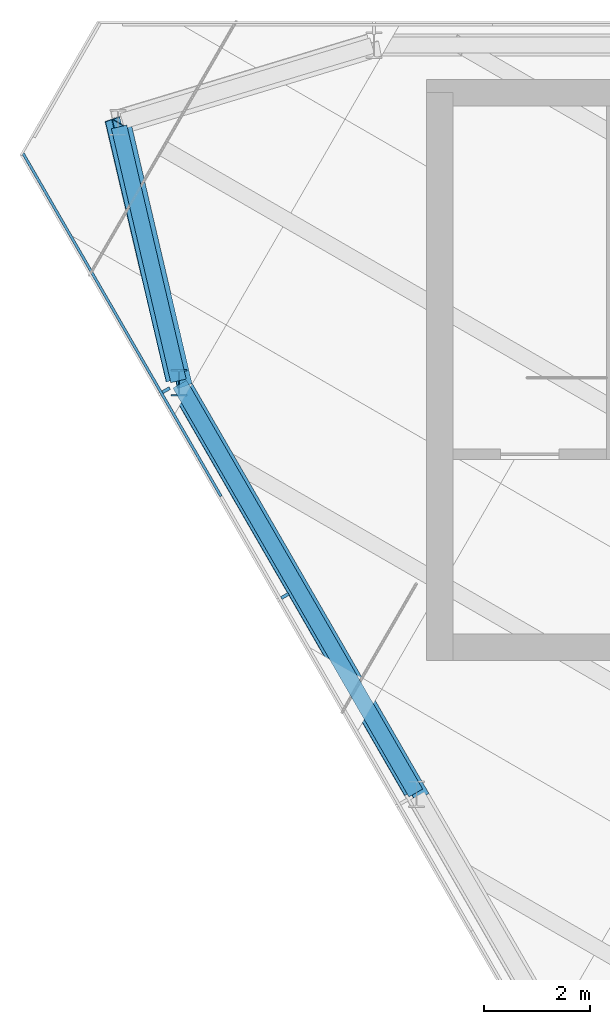
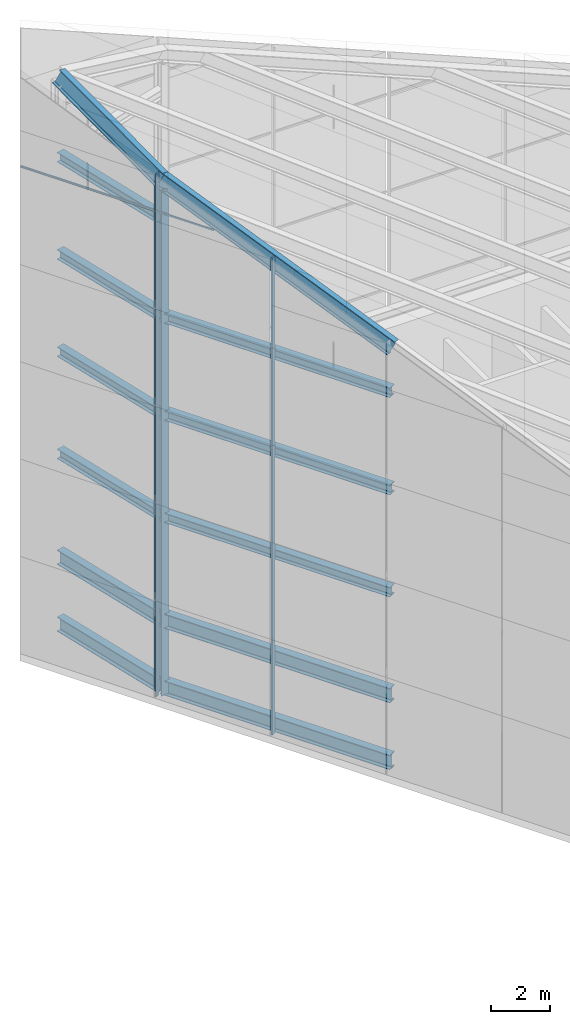
# One storey, part 4 of 16: 9 beams, 8 members, 1 element without a shape of its own.
"""IFC4 building model written with IfcOpenShell, lengths in metres."""

import ifcopenshell
import ifcopenshell.guid

model = None  # the IFC model being written
_history = None  # IfcOwnerHistory: only IFC2X3 demands one
_inside = {}  # id of a spatial element -> (the spatial element, [elements in it])
_under = {}  # id of a project, library or spatial element -> (it, [spatial elements below it])
_declared = {}  # id of a project -> (the project, [libraries it declares])
_typed = {}  # id of a type object -> (the type object, [elements of that type])
_made_of = {}  # id of a material, layer set ... -> (it, [elements and type objects made of it])


def new_model(schema):
    """Start an empty IFC model of exactly this schema.

    Asked for "IFC4X3", IfcOpenShell would pick the latest addendum, in which some entities
    have other attributes; the version numbers below select the first issue.
    IFC2X3 requires an IfcOwnerHistory on every rooted entity: one is made here for all.
    """
    global model, _history
    if schema == "IFC4X3":
        model = ifcopenshell.file(schema_version=(4, 3, 0, 0))
    else:
        model = ifcopenshell.file(schema=schema)
    _inside.clear()
    _under.clear()
    _declared.clear()
    _typed.clear()
    _made_of.clear()
    _history = None
    if model.schema == "IFC2X3":
        org = make("IfcOrganization", Name="unknown")
        user = make(
            "IfcPersonAndOrganization",
            ThePerson=make("IfcPerson", FamilyName="unknown"),
            TheOrganization=org,
        )
        app = make(
            "IfcApplication",
            ApplicationDeveloper=org,
            Version="unknown",
            ApplicationFullName="unknown",
            ApplicationIdentifier="unknown",
        )
        _history = make(
            "IfcOwnerHistory",
            OwningUser=user,
            OwningApplication=app,
            ChangeAction="ADDED",
            CreationDate=0,
        )
    return model


def make(cls, **values):
    """One entity of the class cls with the attributes given. An attribute that is None is left unset."""
    return model.create_entity(
        cls, **{name: value for name, value in values.items() if value is not None}
    )


def rooted(cls, **values):
    """An entity with a GlobalId (a new one), such as an element, a storey or a relation."""
    return make(cls, GlobalId=ifcopenshell.guid.new(), OwnerHistory=_history, **values)


def si_unit(unit_type, name, prefix=None):
    """IfcSIUnit, for example si_unit("LENGTHUNIT", "METRE", prefix="MILLI")."""
    return make("IfcSIUnit", UnitType=unit_type, Prefix=prefix, Name=name)


def assignment(units):
    """IfcUnitAssignment: the units of a project."""
    return None if units is None else make("IfcUnitAssignment", Units=units)


def point(xyz):
    """IfcCartesianPoint."""
    return None if xyz is None else make("IfcCartesianPoint", Coordinates=xyz)


def direction(xyz):
    """IfcDirection."""
    return None if xyz is None else make("IfcDirection", DirectionRatios=xyz)


def frame(location, z_axis=None, x_axis=None):
    """IfcAxis2Placement3D, a coordinate frame: its origin and axes. An axis left out is left unset."""
    return make(
        "IfcAxis2Placement3D",
        Location=point(location),
        Axis=direction(z_axis),
        RefDirection=direction(x_axis),
    )


def frame_2d(location, x_axis=None):
    """IfcAxis2Placement2D, a coordinate frame in the plane: its origin and x axis."""
    return make(
        "IfcAxis2Placement2D", Location=point(location), RefDirection=direction(x_axis)
    )


def origin():
    """The frame at (0, 0, 0) with its axes left unset."""
    return frame((0.0, 0.0, 0.0))


def origin_2d():
    """The frame at (0, 0) in the plane with its x axis left unset."""
    return frame_2d((0.0, 0.0))


def place(relative_to, where):
    """IfcLocalPlacement: puts the frame where relative to a parent placement (None: the world)."""
    return make(
        "IfcLocalPlacement", PlacementRelTo=relative_to, RelativePlacement=where
    )


def context(
    kind, dimensions, precision=None, world=None, true_north=None, identifier=None
):
    """IfcGeometricRepresentationContext, for example the 3D "Model" context."""
    return make(
        "IfcGeometricRepresentationContext",
        ContextIdentifier=identifier,
        ContextType=kind,
        CoordinateSpaceDimension=dimensions,
        Precision=precision,
        WorldCoordinateSystem=world,
        TrueNorth=true_north,
    )


def subcontext(parent, identifier, kind, view, scale=None):
    """IfcGeometricRepresentationSubContext, for example "Body" below "Model"."""
    return make(
        "IfcGeometricRepresentationSubContext",
        ContextIdentifier=identifier,
        ContextType=kind,
        ParentContext=parent,
        TargetScale=scale,
        TargetView=view,
    )


def project(units=None, contexts=None):
    """IfcProject with its units and contexts."""
    return rooted(
        "IfcProject",
        Name="project",
        RepresentationContexts=contexts,
        UnitsInContext=assignment(units),
    )


def spatial(cls, under=None, at=None, **own):
    """A site, building, storey or space (cls), placed at a placement, below another one or the project."""
    s = rooted(cls, ObjectPlacement=at, **own)
    if under is not None:
        _under.setdefault(under.id(), (under, []))[1].append(s)
    return s


def profile(cls, at=None, kind="AREA", **sizes):
    """A parametric profile (cls). Its sizes go by their IFC names, for example OverallWidth=200.0."""
    return make(cls, ProfileType=kind, Position=at, **sizes)


def rectangle(**sizes):
    """IfcRectangleProfileDef."""
    return profile("IfcRectangleProfileDef", **sizes)


def i_section(**sizes):
    """IfcIShapeProfileDef."""
    return profile("IfcIShapeProfileDef", **sizes)


def extrude(swept, where, along, depth):
    """IfcExtrudedAreaSolid: the profile swept, set in the frame where, extruded along a direction by depth."""
    return make(
        "IfcExtrudedAreaSolid",
        SweptArea=swept,
        Position=where,
        ExtrudedDirection=direction(along),
        Depth=depth,
    )


def shape(context_of_items, identifier, shape_type, items):
    """IfcShapeRepresentation: the items that make up one representation, for example the "Body"."""
    return make(
        "IfcShapeRepresentation",
        ContextOfItems=context_of_items,
        RepresentationIdentifier=identifier,
        RepresentationType=shape_type,
        Items=items,
    )


def material(Name=None, Category=None):
    """IfcMaterial."""
    return make("IfcMaterial", Name=Name, Category=Category)


def layer(
    of_material, thickness, ventilated=None, Name=None, Category=None, Priority=None
):
    """IfcMaterialLayer: one layer of a wall or slab, of a material (None: an air gap)."""
    return make(
        "IfcMaterialLayer",
        Material=of_material,
        LayerThickness=thickness,
        IsVentilated=ventilated,
        Name=Name,
        Category=Category,
        Priority=Priority,
    )


def layer_set(layers, Name=None):
    """IfcMaterialLayerSet."""
    return make("IfcMaterialLayerSet", MaterialLayers=layers, LayerSetName=Name)


def material_profile(
    of_material, cross_section, Name=None, Category=None, Priority=None
):
    """IfcMaterialProfile: a cross section and its material."""
    return make(
        "IfcMaterialProfile",
        Name=Name,
        Material=of_material,
        Profile=cross_section,
        Priority=Priority,
        Category=Category,
    )


def profile_set(profiles, Name=None, composite=None):
    """IfcMaterialProfileSet."""
    return make(
        "IfcMaterialProfileSet",
        Name=Name,
        MaterialProfiles=profiles,
        CompositeProfile=composite,
    )


def made_of(thing, what):
    """Note that an element or type object is made of a material, layer set ...; save() writes the relation."""
    if what is not None:
        _made_of.setdefault(what.id(), (what, []))[1].append(thing)
    return thing


def type_object(cls, material=None, **own):
    """A type object (cls), such as IfcWallType, which elements share."""
    return made_of(rooted(cls, **own), material)


def element(
    cls,
    number,
    at=None,
    inside=None,
    cuts=None,
    type_object=None,
    material=None,
    context=None,
    identifier="Body",
    shape_type=None,
    held_by="IfcProductDefinitionShape",
    body=None,
    shapes=None,
    **own,
):
    """One element of the class cls, such as IfcWall. Its Tag is "e" and its number.

    at: its placement. inside: the storey or other place that contains it. cuts: it is an
    opening in that element (IfcRelVoidsElement). A single representation is given by context,
    identifier, shape_type and body (its items); several are given by shapes. held_by: the class
    of the entity that holds the representations. save() writes the other relations.
    """
    e = rooted(cls, Tag="e%d" % number, ObjectPlacement=at, **own)
    if body is not None:
        shapes = [shape(context, identifier, shape_type, body)]
    if shapes is not None:
        e.Representation = make(held_by, Representations=shapes)
    if inside is not None:
        _inside.setdefault(inside.id(), (inside, []))[1].append(e)
    if cuts is not None:
        rooted(
            "IfcRelVoidsElement", RelatingBuildingElement=cuts, RelatedOpeningElement=e
        )
    if type_object is not None:
        _typed.setdefault(type_object.id(), (type_object, []))[1].append(e)
    return made_of(e, material)


def aggregate(whole, parts):
    """IfcRelAggregates: a whole, such as a stair, and the parts it consists of."""
    return rooted("IfcRelAggregates", RelatingObject=whole, RelatedObjects=parts)


def save(model, path):
    """Write the relations noted so far, then the file.

    IfcRelAggregates (storeys below a building ...), IfcRelContainedInSpatialStructure (elements
    in a storey), IfcRelDefinesByType, IfcRelAssociatesMaterial and IfcRelDeclares: one each for
    every whole, place, type object, material and project.
    """
    for whole, parts in _under.values():
        aggregate(whole, parts)
    for where, things in _inside.values():
        rooted(
            "IfcRelContainedInSpatialStructure",
            RelatedElements=things,
            RelatingStructure=where,
        )
    for kind, things in _typed.values():
        rooted("IfcRelDefinesByType", RelatedObjects=things, RelatingType=kind)
    for what, things in _made_of.values():
        rooted("IfcRelAssociatesMaterial", RelatedObjects=things, RelatingMaterial=what)
    for by, libraries in _declared.values():
        rooted("IfcRelDeclares", RelatingContext=by, RelatedDefinitions=libraries)
    model.write(path)


model = new_model("IFC4")

# Units and contexts
model_context = context("Model", 3, precision=1e-05, world=origin(), true_north=direction((0.0, 1.0)))
body_context = subcontext(model_context, "Body", "Model", "MODEL_VIEW")
ifc_project = project(units=[si_unit("LENGTHUNIT", "METRE"), si_unit("AREAUNIT", "SQUARE_METRE"), si_unit("VOLUMEUNIT", "CUBIC_METRE"), si_unit("PLANEANGLEUNIT", "RADIAN"), si_unit("MASSUNIT", "GRAM", prefix="KILO")], contexts=[model_context])

# Site, building, storey
site_placement = place(None, origin())
site = spatial("IfcSite", under=ifc_project, at=site_placement, CompositionType="ELEMENT")
building_placement = place(site_placement, origin())
building = spatial("IfcBuilding", under=site, at=building_placement, Name="Altiplano Prism Tower", CompositionType="ELEMENT")
storey_placement = place(building_placement, frame((0.0, 0.0, 358.0)))
storey = spatial("IfcBuildingStorey", under=building, at=storey_placement, Name="Crown", CompositionType="ELEMENT", Elevation=358.0)

# Curtain wall, members
ifc_material_1 = material(Name="Aluminium and glass", Category="aluminium")
ifc_layer = layer(ifc_material_1, 0.25)
ifc_layer_set = layer_set([ifc_layer], Name="Aluminium and glass")
curtain_wall_type = type_object("IfcCurtainWallType", Name="CW5 crown glazing", PredefinedType="NOTDEFINED", material=ifc_layer_set)
curtain_wall_placement = place(storey_placement, origin())
curtain_wall = element("IfcCurtainWall", 1, at=curtain_wall_placement, inside=storey, type_object=curtain_wall_type, Name="CW5 crown glazing face 2", PredefinedType="NOTDEFINED")
ifc_material_2 = material(Name="Aluminium", Category="aluminium")
ifc_material_profile_1 = material_profile(ifc_material_2, rectangle(XDim=0.159912109375, YDim=0.06005859375, at=origin_2d()), Name="CW5 mullion 60 x 160")
ifc_profile_set_1 = profile_set([ifc_material_profile_1], Name="Aluminium")
member_type_1 = type_object("IfcMemberType", Name="CW5 mullion 60 x 160", PredefinedType="MULLION", material=ifc_profile_set_1)
member_1_placement = place(storey_placement, frame((67.565185546875, 98.014892578125, 0.0), z_axis=(0.0, 0.0, 1.0), x_axis=(0.866025407336, 0.499999993848, 0.0)))
member_1 = element("IfcMember", 2, at=member_1_placement, type_object=member_type_1, Name="CW5 mullion", PredefinedType="MULLION", context=body_context, shape_type="SweptSolid", body=[
    extrude(rectangle(XDim=0.159912109375, YDim=0.06005859375, at=origin_2d()), origin(), (0.0, 0.0, 1.0), 21.497802734375),
])
member_2_placement = place(storey_placement, frame((69.815185546875, 94.11767578125, 0.0), z_axis=(0.0, 0.0, 1.0), x_axis=(0.866025407336, 0.499999993848, 0.0)))
member_2 = element("IfcMember", 3, at=member_2_placement, type_object=member_type_1, Name="CW5 mullion", PredefinedType="MULLION", context=body_context, shape_type="SweptSolid", body=[
    extrude(rectangle(XDim=0.159912109375, YDim=0.06005859375, at=origin_2d()), origin(), (0.0, 0.0, 1.0), 19.61572265625),
])
ifc_material_profile_2 = material_profile(ifc_material_2, rectangle(XDim=0.050048828125, YDim=0.06005859375, at=origin_2d()), Name="CW5 transom 60 x 50")
ifc_profile_set_2 = profile_set([ifc_material_profile_2], Name="Aluminium")
member_type_2 = type_object("IfcMemberType", Name="CW5 transom 60 x 50", PredefinedType="USERDEFINED", material=ifc_profile_set_2)
member_3_placement = place(storey_placement, frame((64.85400390625, 102.5009765625, 20.0), z_axis=(0.500004234368, -0.866022959057, 0.0), x_axis=(0.866022959057, 0.500004234368, 0.0)))
member_3 = element("IfcMember", 4, at=member_3_placement, type_object=member_type_2, Name="CW5 transom", ObjectType="TRANSOM", PredefinedType="USERDEFINED", context=body_context, shape_type="SweptSolid", body=[
    extrude(rectangle(XDim=0.050048828125, YDim=0.06005859375, at=origin_2d()), origin(), (0.0, 0.0, 1.0), 7.5),
])
aggregate(curtain_wall, [member_1, member_2, member_3])

# Members
ifc_material_3 = material(Name="Steel S355", Category="steel")
ifc_material_profile_3 = material_profile(ifc_material_3, i_section(OverallWidth=0.300048828125, OverallDepth=0.60009765625, WebThickness=0.015380859375, FlangeThickness=0.030029296875, FilletRadius=0.027099609375, at=origin_2d()), Name="Crown base chord HEB 600")
ifc_profile_set_3 = profile_set([ifc_material_profile_3], Name="Steel S355")
member_type_3 = type_object("IfcMemberType", Name="Crown base chord HEB 600", PredefinedType="CHORD", material=ifc_profile_set_3)
for number, where, z_axis, x_axis, name in (
    (5, (66.673828125, 103.0009765625, 0.300048828125), (0.227821664455, -0.973702875217, 0.0), (0.973702875217, 0.227821664455, 0.0), "Crown base ring chord b5"),
    (6, (66.673828125, 103.0009765625, 3.050048828125), (0.227821664455, -0.973702875217, 0.0), (0.973702875217, 0.227821664455, 0.0), "Crown base ring chord t5"),
):
    element("IfcMember", number, at=place(storey_placement, frame(where, z_axis=z_axis, x_axis=x_axis)), inside=storey, type_object=member_type_3, Name=name, PredefinedType="CHORD", context=body_context, shape_type="SweptSolid", body=[
        extrude(i_section(OverallWidth=0.300048828125, OverallDepth=0.60009765625, WebThickness=0.015380859375, FlangeThickness=0.030029296875, FilletRadius=0.027099609375, at=origin_2d()), origin(), (0.0, 0.0, 1.0), 4.940185546875),
    ])
for number, where, z_axis, x_axis, name in (
    (7, (67.82275390625, 98.12890625, 0.300048828125), (0.500001398157, -0.866024596557, 0.0), (0.866024596557, 0.500001398157, 0.0), "Crown base ring chord b6"),
    (8, (67.82275390625, 98.12890625, 3.050048828125), (0.500001398157, -0.866024596557, 0.0), (0.866024596557, 0.500001398157, 0.0), "Crown base ring chord t6"),
):
    element("IfcMember", number, at=place(storey_placement, frame(where, z_axis=z_axis, x_axis=x_axis)), inside=storey, type_object=member_type_3, Name=name, PredefinedType="CHORD", context=body_context, shape_type="SweptSolid", body=[
        extrude(i_section(OverallWidth=0.300048828125, OverallDepth=0.60009765625, WebThickness=0.015380859375, FlangeThickness=0.030029296875, FilletRadius=0.027099609375, at=origin_2d()), origin(), (0.0, 0.0, 1.0), 8.93994140625),
    ])
ifc_material_profile_4 = material_profile(ifc_material_3, i_section(OverallWidth=0.300048828125, OverallDepth=0.5, WebThickness=0.014404296875, FlangeThickness=0.028076171875, FilletRadius=0.027099609375, at=origin_2d()), Name="Crown post HEB 500")
ifc_profile_set_4 = profile_set([ifc_material_profile_4], Name="Steel S355")
member_type_4 = type_object("IfcMemberType", Name="Crown post HEB 500", PredefinedType="POST", material=ifc_profile_set_4)
member_4_placement = place(storey_placement, frame((67.807861328125, 98.15478515625, 0.0), z_axis=(0.0, 0.0, 1.0), x_axis=(1.0, 0.0, 0.0)))
element("IfcMember", 9, at=member_4_placement, inside=storey, type_object=member_type_4, Name="Crown post P11", PredefinedType="POST", context=body_context, shape_type="SweptSolid", body=[
    extrude(i_section(OverallWidth=0.300048828125, OverallDepth=0.5, WebThickness=0.014404296875, FlangeThickness=0.028076171875, FilletRadius=0.027099609375, at=origin_2d()), origin(), (0.0, 0.0, 1.0), 20.79296875),
])

# Beams
ifc_material_profile_5 = material_profile(ifc_material_3, i_section(OverallWidth=0.300048828125, OverallDepth=0.60009765625, WebThickness=0.015380859375, FlangeThickness=0.030029296875, FilletRadius=0.027099609375, at=origin_2d()), Name="Crown rafter HEB 600")
ifc_profile_set_5 = profile_set([ifc_material_profile_5], Name="Steel S355")
beam_type_1 = type_object("IfcBeamType", Name="Crown rafter HEB 600", PredefinedType="BEAM", material=ifc_profile_set_5)
beam_1_placement = place(storey_placement, frame((66.654296875, 103.084228515625, 22.738525390625), z_axis=(0.216353771949, -0.924528890885, -0.313747311195), x_axis=(0.900740650363, 0.312991364865, -0.301168866757)))
element("IfcBeam", 10, at=beam_1_placement, inside=storey, type_object=beam_type_1, Name="Crown rafter ring 5", PredefinedType="BEAM", context=body_context, shape_type="SweptSolid", body=[
    extrude(i_section(OverallWidth=0.300048828125, OverallDepth=0.60009765625, WebThickness=0.015380859375, FlangeThickness=0.030029296875, FilletRadius=0.027099609375, at=origin_2d()), origin(), (0.0, 0.0, 1.0), 5.331787109375),
])
beam_2_placement = place(storey_placement, frame((67.807861328125, 98.15478515625, 21.065673828125), z_axis=(0.461277408259, -0.798951891204, -0.385874368378), x_axis=(0.803346016143, 0.560704993202, -0.200611786655)))
element("IfcBeam", 11, at=beam_2_placement, inside=storey, type_object=beam_type_1, Name="Crown rafter ring 6", PredefinedType="BEAM", context=body_context, shape_type="SweptSolid", body=[
    extrude(i_section(OverallWidth=0.300048828125, OverallDepth=0.60009765625, WebThickness=0.015380859375, FlangeThickness=0.030029296875, FilletRadius=0.027099609375, at=origin_2d()), origin(), (0.0, 0.0, 1.0), 9.755615234375),
])
ifc_material_profile_6 = material_profile(ifc_material_3, i_section(OverallWidth=0.300048828125, OverallDepth=0.39990234375, WebThickness=0.013427734375, FlangeThickness=0.02392578125, FilletRadius=0.027099609375, at=origin_2d()), Name="Crown ring beam HEB 400")
ifc_profile_set_6 = profile_set([ifc_material_profile_6], Name="Steel S355")
beam_type_2 = type_object("IfcBeamType", Name="Crown ring beam HEB 400", PredefinedType="BEAM", material=ifc_profile_set_6)
beam_3_placement = place(storey_placement, frame((66.673828125, 103.0009765625, 7.300048828125), z_axis=(0.227821664455, -0.973702875217, 0.0), x_axis=(0.973702875217, 0.227821664455, 0.0)))
element("IfcBeam", 12, at=beam_3_placement, inside=storey, type_object=beam_type_2, Name="Crown ring beam 2.5", PredefinedType="BEAM", context=body_context, shape_type="SweptSolid", body=[
    extrude(i_section(OverallWidth=0.300048828125, OverallDepth=0.39990234375, WebThickness=0.013427734375, FlangeThickness=0.02392578125, FilletRadius=0.027099609375, at=origin_2d()), origin(), (0.0, 0.0, 1.0), 4.940185546875),
])
beam_4_placement = place(storey_placement, frame((67.82275390625, 98.12890625, 7.300048828125), z_axis=(0.500001398157, -0.866024596557, 0.0), x_axis=(0.866024596557, 0.500001398157, 0.0)))
element("IfcBeam", 13, at=beam_4_placement, inside=storey, type_object=beam_type_2, Name="Crown ring beam 2.6", PredefinedType="BEAM", context=body_context, shape_type="SweptSolid", body=[
    extrude(i_section(OverallWidth=0.300048828125, OverallDepth=0.39990234375, WebThickness=0.013427734375, FlangeThickness=0.02392578125, FilletRadius=0.027099609375, at=origin_2d()), origin(), (0.0, 0.0, 1.0), 8.93994140625),
])
beam_5_placement = place(storey_placement, frame((66.673828125, 103.0009765625, 11.5), z_axis=(0.227821664455, -0.973702875217, 0.0), x_axis=(0.973702875217, 0.227821664455, 0.0)))
element("IfcBeam", 14, at=beam_5_placement, inside=storey, type_object=beam_type_2, Name="Crown ring beam 3.5", PredefinedType="BEAM", context=body_context, shape_type="SweptSolid", body=[
    extrude(i_section(OverallWidth=0.300048828125, OverallDepth=0.39990234375, WebThickness=0.013427734375, FlangeThickness=0.02392578125, FilletRadius=0.027099609375, at=origin_2d()), origin(), (0.0, 0.0, 1.0), 4.940185546875),
])
beam_6_placement = place(storey_placement, frame((67.82275390625, 98.12890625, 11.5), z_axis=(0.500001398157, -0.866024596557, 0.0), x_axis=(0.866024596557, 0.500001398157, 0.0)))
element("IfcBeam", 15, at=beam_6_placement, inside=storey, type_object=beam_type_2, Name="Crown ring beam 3.6", PredefinedType="BEAM", context=body_context, shape_type="SweptSolid", body=[
    extrude(i_section(OverallWidth=0.300048828125, OverallDepth=0.39990234375, WebThickness=0.013427734375, FlangeThickness=0.02392578125, FilletRadius=0.027099609375, at=origin_2d()), origin(), (0.0, 0.0, 1.0), 8.93994140625),
])
beam_7_placement = place(storey_placement, frame((66.673828125, 103.0009765625, 15.5), z_axis=(0.227821664455, -0.973702875217, 0.0), x_axis=(0.973702875217, 0.227821664455, 0.0)))
element("IfcBeam", 16, at=beam_7_placement, inside=storey, type_object=beam_type_2, Name="Crown ring beam 4.5", PredefinedType="BEAM", context=body_context, shape_type="SweptSolid", body=[
    extrude(i_section(OverallWidth=0.300048828125, OverallDepth=0.39990234375, WebThickness=0.013427734375, FlangeThickness=0.02392578125, FilletRadius=0.027099609375, at=origin_2d()), origin(), (0.0, 0.0, 1.0), 4.940185546875),
])
beam_8_placement = place(storey_placement, frame((67.82275390625, 98.12890625, 15.5), z_axis=(0.500001398157, -0.866024596557, 0.0), x_axis=(0.866024596557, 0.500001398157, 0.0)))
element("IfcBeam", 17, at=beam_8_placement, inside=storey, type_object=beam_type_2, Name="Crown ring beam 4.6", PredefinedType="BEAM", context=body_context, shape_type="SweptSolid", body=[
    extrude(i_section(OverallWidth=0.300048828125, OverallDepth=0.39990234375, WebThickness=0.013427734375, FlangeThickness=0.02392578125, FilletRadius=0.027099609375, at=origin_2d()), origin(), (0.0, 0.0, 1.0), 8.93994140625),
])
beam_9_placement = place(storey_placement, frame((66.673828125, 103.0009765625, 19.5), z_axis=(0.227821664455, -0.973702875217, 0.0), x_axis=(0.973702875217, 0.227821664455, 0.0)))
element("IfcBeam", 18, at=beam_9_placement, inside=storey, type_object=beam_type_2, Name="Crown ring beam 5.5", PredefinedType="BEAM", context=body_context, shape_type="SweptSolid", body=[
    extrude(i_section(OverallWidth=0.300048828125, OverallDepth=0.39990234375, WebThickness=0.013427734375, FlangeThickness=0.02392578125, FilletRadius=0.027099609375, at=origin_2d()), origin(), (0.0, 0.0, 1.0), 4.940185546875),
])

save(model, "model.ifc")
